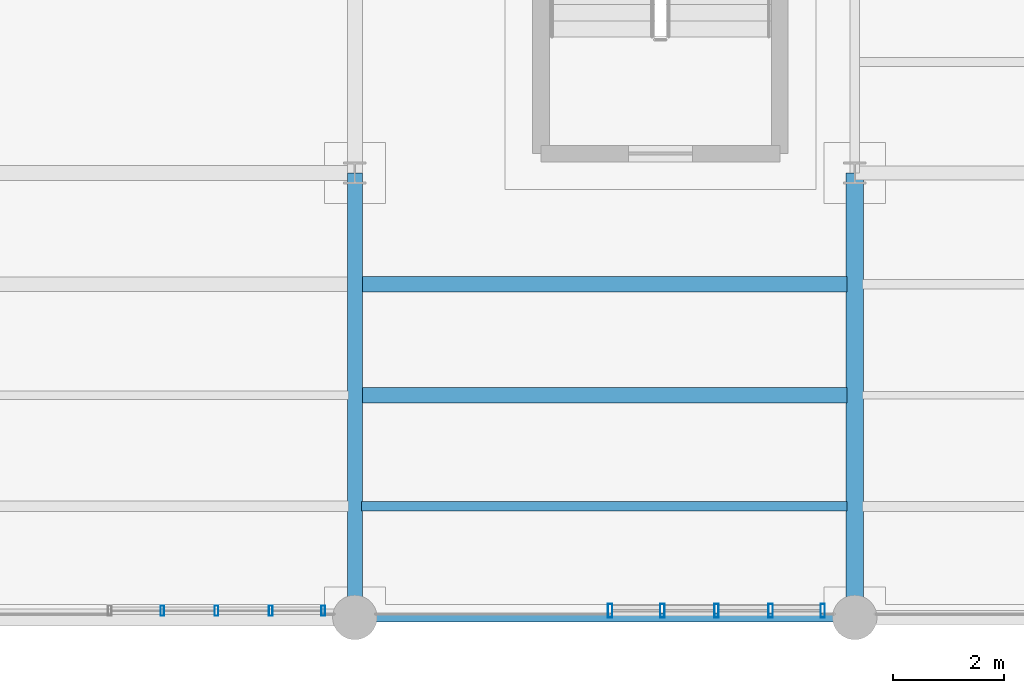
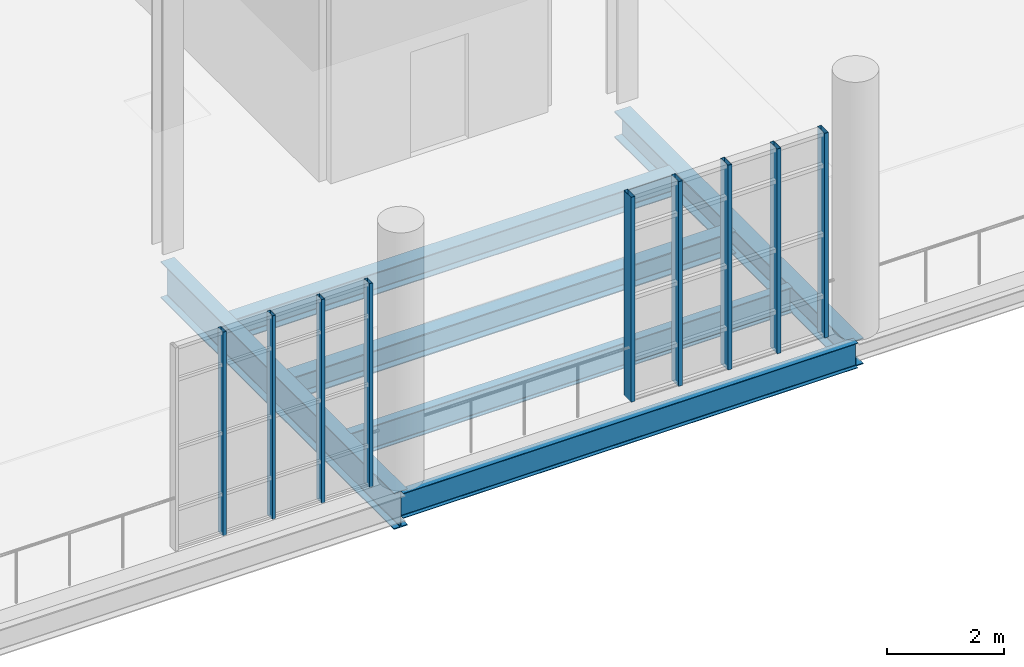
# One storey, part 34 of 142: 9 members, 6 beams, 2 elements without a shape of their own.
"""IFC4 building model written with IfcOpenShell, lengths in metres."""

import ifcopenshell
import ifcopenshell.guid

model = None  # the IFC model being written
_history = None  # IfcOwnerHistory: only IFC2X3 demands one
_inside = {}  # id of a spatial element -> (the spatial element, [elements in it])
_under = {}  # id of a project, library or spatial element -> (it, [spatial elements below it])
_declared = {}  # id of a project -> (the project, [libraries it declares])
_typed = {}  # id of a type object -> (the type object, [elements of that type])
_made_of = {}  # id of a material, layer set ... -> (it, [elements and type objects made of it])


def new_model(schema):
    """Start an empty IFC model of exactly this schema.

    Asked for "IFC4X3", IfcOpenShell would pick the latest addendum, in which some entities
    have other attributes; the version numbers below select the first issue.
    IFC2X3 requires an IfcOwnerHistory on every rooted entity: one is made here for all.
    """
    global model, _history
    if schema == "IFC4X3":
        model = ifcopenshell.file(schema_version=(4, 3, 0, 0))
    else:
        model = ifcopenshell.file(schema=schema)
    _inside.clear()
    _under.clear()
    _declared.clear()
    _typed.clear()
    _made_of.clear()
    _history = None
    if model.schema == "IFC2X3":
        org = make("IfcOrganization", Name="unknown")
        user = make(
            "IfcPersonAndOrganization",
            ThePerson=make("IfcPerson", FamilyName="unknown"),
            TheOrganization=org,
        )
        app = make(
            "IfcApplication",
            ApplicationDeveloper=org,
            Version="unknown",
            ApplicationFullName="unknown",
            ApplicationIdentifier="unknown",
        )
        _history = make(
            "IfcOwnerHistory",
            OwningUser=user,
            OwningApplication=app,
            ChangeAction="ADDED",
            CreationDate=0,
        )
    return model


def make(cls, **values):
    """One entity of the class cls with the attributes given. An attribute that is None is left unset."""
    return model.create_entity(
        cls, **{name: value for name, value in values.items() if value is not None}
    )


def rooted(cls, **values):
    """An entity with a GlobalId (a new one), such as an element, a storey or a relation."""
    return make(cls, GlobalId=ifcopenshell.guid.new(), OwnerHistory=_history, **values)


def si_unit(unit_type, name, prefix=None):
    """IfcSIUnit, for example si_unit("LENGTHUNIT", "METRE", prefix="MILLI")."""
    return make("IfcSIUnit", UnitType=unit_type, Prefix=prefix, Name=name)


def assignment(units):
    """IfcUnitAssignment: the units of a project."""
    return None if units is None else make("IfcUnitAssignment", Units=units)


def point(xyz):
    """IfcCartesianPoint."""
    return None if xyz is None else make("IfcCartesianPoint", Coordinates=xyz)


def direction(xyz):
    """IfcDirection."""
    return None if xyz is None else make("IfcDirection", DirectionRatios=xyz)


def frame(location, z_axis=None, x_axis=None):
    """IfcAxis2Placement3D, a coordinate frame: its origin and axes. An axis left out is left unset."""
    return make(
        "IfcAxis2Placement3D",
        Location=point(location),
        Axis=direction(z_axis),
        RefDirection=direction(x_axis),
    )


def frame_2d(location, x_axis=None):
    """IfcAxis2Placement2D, a coordinate frame in the plane: its origin and x axis."""
    return make(
        "IfcAxis2Placement2D", Location=point(location), RefDirection=direction(x_axis)
    )


def origin():
    """The frame at (0, 0, 0) with its axes left unset."""
    return frame((0.0, 0.0, 0.0))


def origin_2d():
    """The frame at (0, 0) in the plane with its x axis left unset."""
    return frame_2d((0.0, 0.0))


def place(relative_to, where):
    """IfcLocalPlacement: puts the frame where relative to a parent placement (None: the world)."""
    return make(
        "IfcLocalPlacement", PlacementRelTo=relative_to, RelativePlacement=where
    )


def context(
    kind, dimensions, precision=None, world=None, true_north=None, identifier=None
):
    """IfcGeometricRepresentationContext, for example the 3D "Model" context."""
    return make(
        "IfcGeometricRepresentationContext",
        ContextIdentifier=identifier,
        ContextType=kind,
        CoordinateSpaceDimension=dimensions,
        Precision=precision,
        WorldCoordinateSystem=world,
        TrueNorth=true_north,
    )


def subcontext(parent, identifier, kind, view, scale=None):
    """IfcGeometricRepresentationSubContext, for example "Body" below "Model"."""
    return make(
        "IfcGeometricRepresentationSubContext",
        ContextIdentifier=identifier,
        ContextType=kind,
        ParentContext=parent,
        TargetScale=scale,
        TargetView=view,
    )


def project(units=None, contexts=None):
    """IfcProject with its units and contexts."""
    return rooted(
        "IfcProject",
        Name="project",
        RepresentationContexts=contexts,
        UnitsInContext=assignment(units),
    )


def spatial(cls, under=None, at=None, **own):
    """A site, building, storey or space (cls), placed at a placement, below another one or the project."""
    s = rooted(cls, ObjectPlacement=at, **own)
    if under is not None:
        _under.setdefault(under.id(), (under, []))[1].append(s)
    return s


def profile(cls, at=None, kind="AREA", **sizes):
    """A parametric profile (cls). Its sizes go by their IFC names, for example OverallWidth=200.0."""
    return make(cls, ProfileType=kind, Position=at, **sizes)


def hollow_rectangle(**sizes):
    """IfcRectangleHollowProfileDef."""
    return profile("IfcRectangleHollowProfileDef", **sizes)


def i_section(**sizes):
    """IfcIShapeProfileDef."""
    return profile("IfcIShapeProfileDef", **sizes)


def extrude(swept, where, along, depth):
    """IfcExtrudedAreaSolid: the profile swept, set in the frame where, extruded along a direction by depth."""
    return make(
        "IfcExtrudedAreaSolid",
        SweptArea=swept,
        Position=where,
        ExtrudedDirection=direction(along),
        Depth=depth,
    )


def shape(context_of_items, identifier, shape_type, items):
    """IfcShapeRepresentation: the items that make up one representation, for example the "Body"."""
    return make(
        "IfcShapeRepresentation",
        ContextOfItems=context_of_items,
        RepresentationIdentifier=identifier,
        RepresentationType=shape_type,
        Items=items,
    )


def material(Name=None, Category=None):
    """IfcMaterial."""
    return make("IfcMaterial", Name=Name, Category=Category)


def layer(
    of_material, thickness, ventilated=None, Name=None, Category=None, Priority=None
):
    """IfcMaterialLayer: one layer of a wall or slab, of a material (None: an air gap)."""
    return make(
        "IfcMaterialLayer",
        Material=of_material,
        LayerThickness=thickness,
        IsVentilated=ventilated,
        Name=Name,
        Category=Category,
        Priority=Priority,
    )


def layer_set(layers, Name=None):
    """IfcMaterialLayerSet."""
    return make("IfcMaterialLayerSet", MaterialLayers=layers, LayerSetName=Name)


def material_profile(
    of_material, cross_section, Name=None, Category=None, Priority=None
):
    """IfcMaterialProfile: a cross section and its material."""
    return make(
        "IfcMaterialProfile",
        Name=Name,
        Material=of_material,
        Profile=cross_section,
        Priority=Priority,
        Category=Category,
    )


def profile_set(profiles, Name=None, composite=None):
    """IfcMaterialProfileSet."""
    return make(
        "IfcMaterialProfileSet",
        Name=Name,
        MaterialProfiles=profiles,
        CompositeProfile=composite,
    )


def made_of(thing, what):
    """Note that an element or type object is made of a material, layer set ...; save() writes the relation."""
    if what is not None:
        _made_of.setdefault(what.id(), (what, []))[1].append(thing)
    return thing


def type_object(cls, material=None, **own):
    """A type object (cls), such as IfcWallType, which elements share."""
    return made_of(rooted(cls, **own), material)


def element(
    cls,
    number,
    at=None,
    inside=None,
    cuts=None,
    type_object=None,
    material=None,
    context=None,
    identifier="Body",
    shape_type=None,
    held_by="IfcProductDefinitionShape",
    body=None,
    shapes=None,
    **own,
):
    """One element of the class cls, such as IfcWall. Its Tag is "e" and its number.

    at: its placement. inside: the storey or other place that contains it. cuts: it is an
    opening in that element (IfcRelVoidsElement). A single representation is given by context,
    identifier, shape_type and body (its items); several are given by shapes. held_by: the class
    of the entity that holds the representations. save() writes the other relations.
    """
    e = rooted(cls, Tag="e%d" % number, ObjectPlacement=at, **own)
    if body is not None:
        shapes = [shape(context, identifier, shape_type, body)]
    if shapes is not None:
        e.Representation = make(held_by, Representations=shapes)
    if inside is not None:
        _inside.setdefault(inside.id(), (inside, []))[1].append(e)
    if cuts is not None:
        rooted(
            "IfcRelVoidsElement", RelatingBuildingElement=cuts, RelatedOpeningElement=e
        )
    if type_object is not None:
        _typed.setdefault(type_object.id(), (type_object, []))[1].append(e)
    return made_of(e, material)


def aggregate(whole, parts):
    """IfcRelAggregates: a whole, such as a stair, and the parts it consists of."""
    return rooted("IfcRelAggregates", RelatingObject=whole, RelatedObjects=parts)


def save(model, path):
    """Write the relations noted so far, then the file.

    IfcRelAggregates (storeys below a building ...), IfcRelContainedInSpatialStructure (elements
    in a storey), IfcRelDefinesByType, IfcRelAssociatesMaterial and IfcRelDeclares: one each for
    every whole, place, type object, material and project.
    """
    for whole, parts in _under.values():
        aggregate(whole, parts)
    for where, things in _inside.values():
        rooted(
            "IfcRelContainedInSpatialStructure",
            RelatedElements=things,
            RelatingStructure=where,
        )
    for kind, things in _typed.values():
        rooted("IfcRelDefinesByType", RelatedObjects=things, RelatingType=kind)
    for what, things in _made_of.values():
        rooted("IfcRelAssociatesMaterial", RelatedObjects=things, RelatingMaterial=what)
    for by, libraries in _declared.values():
        rooted("IfcRelDeclares", RelatingContext=by, RelatedDefinitions=libraries)
    model.write(path)


model = new_model("IFC4")

# Units and contexts
model_context = context("Model", 3, precision=1e-05, world=origin(), true_north=direction((0.0, 1.0)))
body_context = subcontext(model_context, "Body", "Model", "MODEL_VIEW")
ifc_project = project(units=[si_unit("LENGTHUNIT", "METRE"), si_unit("AREAUNIT", "SQUARE_METRE"), si_unit("VOLUMEUNIT", "CUBIC_METRE"), si_unit("PLANEANGLEUNIT", "RADIAN"), si_unit("MASSUNIT", "GRAM", prefix="KILO"), si_unit("THERMODYNAMICTEMPERATUREUNIT", "KELVIN"), si_unit("POWERUNIT", "WATT")], contexts=[model_context])

# Site, building, storey
site_placement = place(None, origin())
site = spatial("IfcSite", under=ifc_project, at=site_placement, CompositionType="ELEMENT")
building_placement = place(site_placement, origin())
building = spatial("IfcBuilding", under=site, at=building_placement, Name="Zelmaris Science Centre", CompositionType="ELEMENT")
storey_placement = place(building_placement, frame((0.0, 0.0, 5.39990234375)))
storey = spatial("IfcBuildingStorey", under=building, at=storey_placement, Name="L01", CompositionType="ELEMENT", Elevation=5.39990234375)

# Curtain wall, members
ifc_material_1 = material(Name="Anodised architectural aluminium 6063-T6", Category="aluminium")
ifc_layer_1 = layer(ifc_material_1, 0.2099609375, Name="Anodised architectural aluminium 6063-T6")
ifc_layer_set_1 = layer_set([ifc_layer_1], Name="Anodised architectural aluminium 6063-T6")
curtain_wall_type_1 = type_object("IfcCurtainWallType", Name="Curtain Wall CW-03", PredefinedType="USERDEFINED", material=ifc_layer_set_1)
curtain_wall_1_placement = place(storey_placement, origin())
curtain_wall_1 = element("IfcCurtainWall", 1, at=curtain_wall_1_placement, inside=storey, type_object=curtain_wall_type_1, Name="L01 Unitised curtain wall 167", ObjectType="GLAZED CURTAIN WALL", PredefinedType="USERDEFINED")
ifc_material_profile_1 = material_profile(ifc_material_1, hollow_rectangle(XDim=0.06494140625, YDim=0.179931640625, WallThickness=0.00390625, at=origin_2d()), Name="ALU-MUL-65X180")
ifc_profile_set_1 = profile_set([ifc_material_profile_1], Name="Anodised architectural aluminium 6063-T6")
member_type_1 = type_object("IfcMemberType", Name="ALU-MUL-65X180", PredefinedType="MULLION", material=ifc_profile_set_1)
member_1_placement = place(storey_placement, frame((116.431396484375, 8.1201171875, -0.014892578125), z_axis=(0.0, 0.0, 1.0), x_axis=(-1.0, 0.0, 0.0)))
member_1 = element("IfcMember", 2, at=member_1_placement, type_object=member_type_1, Name="CW-03 mullion 1", PredefinedType="MULLION", context=body_context, shape_type="SweptSolid", body=[
    extrude(hollow_rectangle(XDim=0.06494140625, YDim=0.179931640625, WallThickness=0.00390625, at=origin_2d()), origin(), (0.0, 0.0, 1.0), 4.260986328125),
])
member_2_placement = place(storey_placement, frame((115.485107421875, 8.1201171875, -0.014892578125), z_axis=(0.0, 0.0, 1.0), x_axis=(-1.0, 0.0, 0.0)))
member_2 = element("IfcMember", 3, at=member_2_placement, type_object=member_type_1, Name="CW-03 mullion 2", PredefinedType="MULLION", context=body_context, shape_type="SweptSolid", body=[
    extrude(hollow_rectangle(XDim=0.06494140625, YDim=0.179931640625, WallThickness=0.00390625, at=origin_2d()), origin(), (0.0, 0.0, 1.0), 4.260986328125),
])
member_3_placement = place(storey_placement, frame((114.510009765625, 8.1201171875, -0.014892578125), z_axis=(0.0, 0.0, 1.0), x_axis=(-1.0, 0.0, 0.0)))
member_3 = element("IfcMember", 4, at=member_3_placement, type_object=member_type_1, Name="CW-03 mullion 3", PredefinedType="MULLION", context=body_context, shape_type="SweptSolid", body=[
    extrude(hollow_rectangle(XDim=0.06494140625, YDim=0.179931640625, WallThickness=0.00390625, at=origin_2d()), origin(), (0.0, 0.0, 1.0), 4.260986328125),
])
member_4_placement = place(storey_placement, frame((113.534912109375, 8.1201171875, -0.014892578125), z_axis=(0.0, 0.0, 1.0), x_axis=(-1.0, 0.0, 0.0)))
member_4 = element("IfcMember", 5, at=member_4_placement, type_object=member_type_1, Name="CW-03 mullion 4", PredefinedType="MULLION", context=body_context, shape_type="SweptSolid", body=[
    extrude(hollow_rectangle(XDim=0.06494140625, YDim=0.179931640625, WallThickness=0.00390625, at=origin_2d()), origin(), (0.0, 0.0, 1.0), 4.260986328125),
])
aggregate(curtain_wall_1, [member_1, member_2, member_3, member_4])

ifc_layer_2 = layer(ifc_material_1, 0.18994140625, Name="Anodised architectural aluminium 6063-T6")
ifc_layer_set_2 = layer_set([ifc_layer_2], Name="Anodised architectural aluminium 6063-T6")
curtain_wall_type_2 = type_object("IfcCurtainWallType", Name="Curtain Wall CW-01", PredefinedType="USERDEFINED", material=ifc_layer_set_2)
curtain_wall_2_placement = place(storey_placement, origin())
curtain_wall_2 = element("IfcCurtainWall", 6, at=curtain_wall_2_placement, inside=storey, type_object=curtain_wall_type_2, Name="L01 Unitised curtain wall 165", ObjectType="GLAZED CURTAIN WALL", PredefinedType="USERDEFINED")
ifc_material_profile_2 = material_profile(ifc_material_1, hollow_rectangle(XDim=0.080078125, YDim=0.25, WallThickness=0.0048828125, at=origin_2d()), Name="ALU-MUL-80X250")
ifc_profile_set_2 = profile_set([ifc_material_profile_2], Name="Anodised architectural aluminium 6063-T6")
member_type_2 = type_object("IfcMemberType", Name="ALU-MUL-80X250", PredefinedType="MULLION", material=ifc_profile_set_2)
member_5_placement = place(storey_placement, frame((125.424072265625, 8.1201171875, -0.014892578125), z_axis=(0.0, 0.0, 1.0), x_axis=(-1.0, 0.0, 0.0)))
member_5 = element("IfcMember", 7, at=member_5_placement, type_object=member_type_2, Name="CW-01 mullion 1", PredefinedType="MULLION", context=body_context, shape_type="SweptSolid", body=[
    extrude(hollow_rectangle(XDim=0.080078125, YDim=0.25, WallThickness=0.0048828125, at=origin_2d()), origin(), (0.0, 0.0, 1.0), 4.283935546875),
])
member_6_placement = place(storey_placement, frame((124.485107421875, 8.1201171875, -0.014892578125), z_axis=(0.0, 0.0, 1.0), x_axis=(-1.0, 0.0, 0.0)))
member_6 = element("IfcMember", 8, at=member_6_placement, type_object=member_type_2, Name="CW-01 mullion 2", PredefinedType="MULLION", context=body_context, shape_type="SweptSolid", body=[
    extrude(hollow_rectangle(XDim=0.080078125, YDim=0.25, WallThickness=0.0048828125, at=origin_2d()), origin(), (0.0, 0.0, 1.0), 4.283935546875),
])
member_7_placement = place(storey_placement, frame((123.510009765625, 8.1201171875, -0.014892578125), z_axis=(0.0, 0.0, 1.0), x_axis=(-1.0, 0.0, 0.0)))
member_7 = element("IfcMember", 9, at=member_7_placement, type_object=member_type_2, Name="CW-01 mullion 3", PredefinedType="MULLION", context=body_context, shape_type="SweptSolid", body=[
    extrude(hollow_rectangle(XDim=0.080078125, YDim=0.25, WallThickness=0.0048828125, at=origin_2d()), origin(), (0.0, 0.0, 1.0), 4.283935546875),
])
member_8_placement = place(storey_placement, frame((122.534912109375, 8.1201171875, -0.014892578125), z_axis=(0.0, 0.0, 1.0), x_axis=(-1.0, 0.0, 0.0)))
member_8 = element("IfcMember", 10, at=member_8_placement, type_object=member_type_2, Name="CW-01 mullion 4", PredefinedType="MULLION", context=body_context, shape_type="SweptSolid", body=[
    extrude(hollow_rectangle(XDim=0.080078125, YDim=0.25, WallThickness=0.0048828125, at=origin_2d()), origin(), (0.0, 0.0, 1.0), 4.283935546875),
])
member_9_placement = place(storey_placement, frame((121.595947265625, 8.1201171875, -0.014892578125), z_axis=(0.0, 0.0, 1.0), x_axis=(-1.0, 0.0, 0.0)))
member_9 = element("IfcMember", 11, at=member_9_placement, type_object=member_type_2, Name="CW-01 mullion 5", PredefinedType="MULLION", context=body_context, shape_type="SweptSolid", body=[
    extrude(hollow_rectangle(XDim=0.080078125, YDim=0.25, WallThickness=0.0048828125, at=origin_2d()), origin(), (0.0, 0.0, 1.0), 4.283935546875),
])
aggregate(curtain_wall_2, [member_5, member_6, member_7, member_8, member_9])

# Beams
ifc_material_2 = material(Name="Steel ASTM A992 Grade 50", Category="steel")
ifc_material_profile_3 = material_profile(ifc_material_2, i_section(OverallWidth=0.26708984375, OverallDepth=0.761962890625, WebThickness=0.014404296875, FlangeThickness=0.021484375, FilletRadius=0.01904296875, at=origin_2d()), Name="W30X116")
ifc_profile_set_3 = profile_set([ifc_material_profile_3], Name="Steel ASTM A992 Grade 50")
beam_type_1 = type_object("IfcBeamType", Name="Beam G-33 W30X116", PredefinedType="BEAM", material=ifc_profile_set_3)
beam_1_placement = place(storey_placement, frame((117.0, 8.0, -0.660888671875), z_axis=(0.0, 1.0, 0.0), x_axis=(-1.0, 0.0, 0.0)))
element("IfcBeam", 12, at=beam_1_placement, inside=storey, type_object=beam_type_1, Name="L01 North-south girder 301", PredefinedType="BEAM", context=body_context, shape_type="SweptSolid", body=[
    extrude(i_section(OverallWidth=0.26708984375, OverallDepth=0.761962890625, WebThickness=0.014404296875, FlangeThickness=0.021484375, FilletRadius=0.01904296875, at=origin_2d()), origin(), (0.0, 0.0, 1.0), 8.0),
])
ifc_material_profile_4 = material_profile(ifc_material_2, i_section(OverallWidth=0.31201171875, OverallDepth=0.5458984375, WebThickness=0.013916015625, FlangeThickness=0.022216796875, FilletRadius=0.013916015625, at=origin_2d()), Name="W21X111")
ifc_profile_set_4 = profile_set([ifc_material_profile_4], Name="Steel ASTM A992 Grade 50")
beam_type_2 = type_object("IfcBeamType", Name="Beam G-39 W21X111", PredefinedType="BEAM", material=ifc_profile_set_4)
beam_2_placement = place(storey_placement, frame((126.0, 8.0, -0.552978515625), z_axis=(0.0, 1.0, 0.0), x_axis=(-1.0, 0.0, 0.0)))
element("IfcBeam", 13, at=beam_2_placement, inside=storey, type_object=beam_type_2, Name="L01 North-south girder 307", PredefinedType="BEAM", context=body_context, shape_type="SweptSolid", body=[
    extrude(i_section(OverallWidth=0.31201171875, OverallDepth=0.5458984375, WebThickness=0.013916015625, FlangeThickness=0.022216796875, FilletRadius=0.013916015625, at=origin_2d()), origin(), (0.0, 0.0, 1.0), 8.0),
])
ifc_material_profile_5 = material_profile(ifc_material_2, i_section(OverallWidth=0.1650390625, OverallDepth=0.52587890625, WebThickness=0.0087890625, FlangeThickness=0.011474609375, FilletRadius=0.013916015625, at=origin_2d()), Name="W21X44")
ifc_profile_set_5 = profile_set([ifc_material_profile_5], Name="Steel ASTM A992 Grade 50")
beam_type_3 = type_object("IfcBeamType", Name="Beam G-40 W21X44", PredefinedType="BEAM", material=ifc_profile_set_5)
beam_3_placement = place(storey_placement, frame((117.0, 8.0, -0.54296875), z_axis=(1.0, 0.0, 0.0), x_axis=(0.0, 1.0, 0.0)))
element("IfcBeam", 14, at=beam_3_placement, inside=storey, type_object=beam_type_3, Name="L01 East-west girder 339", PredefinedType="BEAM", context=body_context, shape_type="SweptSolid", body=[
    extrude(i_section(OverallWidth=0.1650390625, OverallDepth=0.52587890625, WebThickness=0.0087890625, FlangeThickness=0.011474609375, FilletRadius=0.013916015625, at=origin_2d()), origin(), (0.0, 0.0, 1.0), 9.0),
])
ifc_material_profile_6 = material_profile(ifc_material_2, i_section(OverallWidth=0.16796875, OverallDepth=0.532958984375, WebThickness=0.01025390625, FlangeThickness=0.0166015625, FilletRadius=0.013916015625, at=origin_2d()), Name="W21X57")
ifc_profile_set_6 = profile_set([ifc_material_profile_6], Name="Steel ASTM A992 Grade 50")
beam_type_4 = type_object("IfcBeamType", Name="Beam J-01 W21X57", PredefinedType="JOIST", material=ifc_profile_set_6)
beam_4_placement = place(storey_placement, frame((117.118408203125, 10.0, -0.54638671875), z_axis=(1.0, 0.0, 0.0), x_axis=(0.0, 1.0, 0.0)))
element("IfcBeam", 15, at=beam_4_placement, inside=storey, type_object=beam_type_4, Name="L01 Composite floor joist 171", PredefinedType="JOIST", context=body_context, shape_type="SweptSolid", body=[
    extrude(i_section(OverallWidth=0.16796875, OverallDepth=0.532958984375, WebThickness=0.01025390625, FlangeThickness=0.0166015625, FilletRadius=0.013916015625, at=origin_2d()), origin(), (0.0, 0.0, 1.0), 8.740478515625),
])
ifc_material_profile_7 = material_profile(ifc_material_2, i_section(OverallWidth=0.281982421875, OverallDepth=0.471923828125, WebThickness=0.013671875, FlangeThickness=0.022216796875, FilletRadius=0.012939453125, at=origin_2d()), Name="W18X97")
ifc_profile_set_7 = profile_set([ifc_material_profile_7], Name="Steel ASTM A992 Grade 50")
beam_type_5 = type_object("IfcBeamType", Name="Beam J-02 W18X97", PredefinedType="JOIST", material=ifc_profile_set_7)
beam_5_placement = place(storey_placement, frame((117.118408203125, 12.0, -0.515869140625), z_axis=(1.0, 0.0, 0.0), x_axis=(0.0, 1.0, 0.0)))
element("IfcBeam", 16, at=beam_5_placement, inside=storey, type_object=beam_type_5, Name="L01 Composite floor joist 172", PredefinedType="JOIST", context=body_context, shape_type="SweptSolid", body=[
    extrude(i_section(OverallWidth=0.281982421875, OverallDepth=0.471923828125, WebThickness=0.013671875, FlangeThickness=0.022216796875, FilletRadius=0.012939453125, at=origin_2d()), origin(), (0.0, 0.0, 1.0), 8.740478515625),
])
ifc_material_profile_8 = material_profile(ifc_material_2, i_section(OverallWidth=0.279052734375, OverallDepth=0.4619140625, WebThickness=0.0107421875, FlangeThickness=0.017333984375, FilletRadius=0.012939453125, at=origin_2d()), Name="W18X76")
ifc_profile_set_8 = profile_set([ifc_material_profile_8], Name="Steel ASTM A992 Grade 50")
beam_type_6 = type_object("IfcBeamType", Name="Beam J-03 W18X76", PredefinedType="JOIST", material=ifc_profile_set_8)
beam_6_placement = place(storey_placement, frame((117.118408203125, 14.0, -0.510986328125), z_axis=(1.0, 0.0, 0.0), x_axis=(0.0, 1.0, 0.0)))
element("IfcBeam", 17, at=beam_6_placement, inside=storey, type_object=beam_type_6, Name="L01 Composite floor joist 173", PredefinedType="JOIST", context=body_context, shape_type="SweptSolid", body=[
    extrude(i_section(OverallWidth=0.279052734375, OverallDepth=0.4619140625, WebThickness=0.0107421875, FlangeThickness=0.017333984375, FilletRadius=0.012939453125, at=origin_2d()), origin(), (0.0, 0.0, 1.0), 8.740478515625),
])

save(model, "model.ifc")
